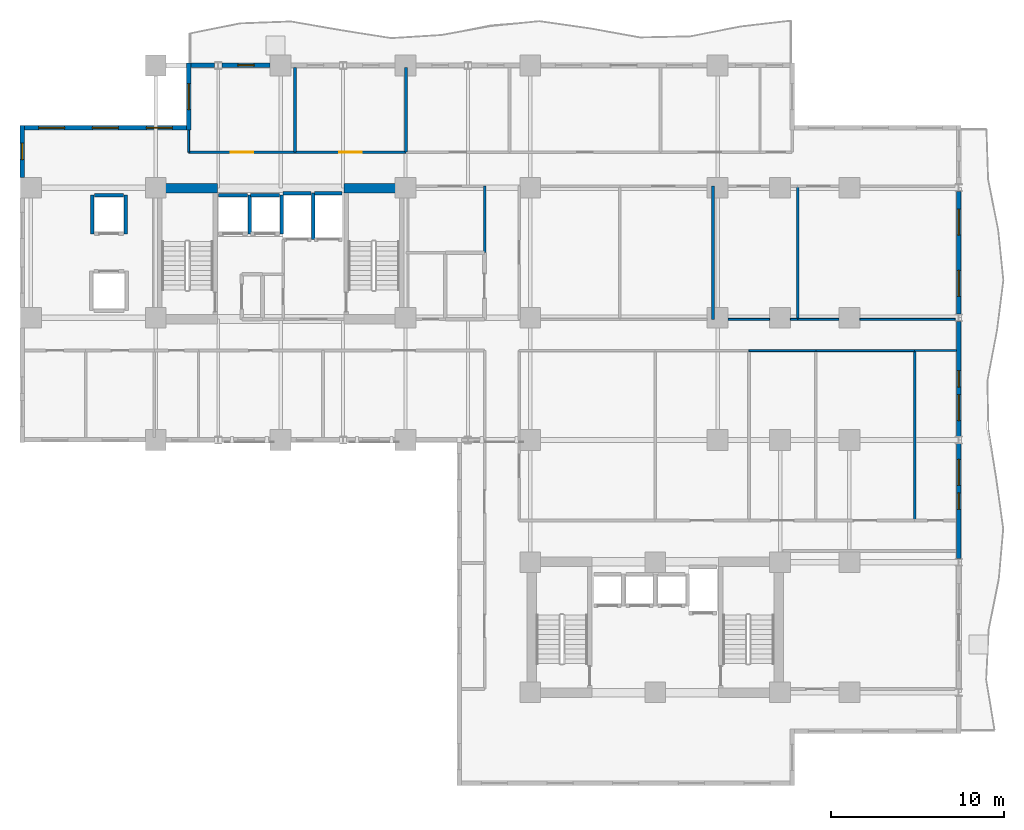
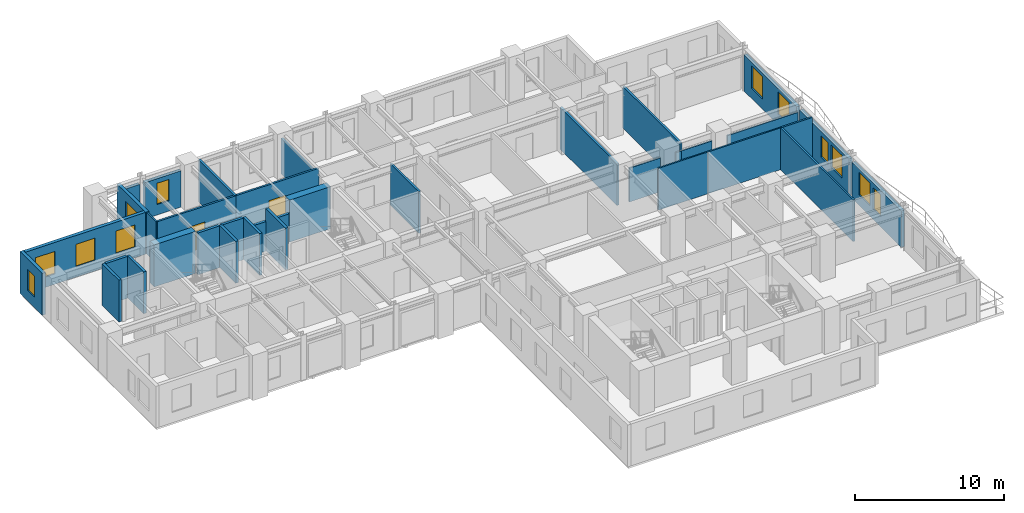
# One storey, part 6 of 11: 36 walls, 12 windows, 2 doors, 14 openings.
"""IFC4 building model written with IfcOpenShell, lengths in metres."""

from ifc_helpers import new_model, si_unit, direction, frame, frame_2d, origin, place, context, subcontext, project, spatial, rectangle, extrude, material, layer, layer_set, type_object, element, fill, save


model = new_model("IFC4")

# Units and contexts
model_context = context("Model", 3, precision=1e-05, world=origin(), true_north=direction((0.0, 1.0)))
body_context = subcontext(model_context, "Body", "Model", "MODEL_VIEW")
ifc_project = project(units=[si_unit("LENGTHUNIT", "METRE"), si_unit("AREAUNIT", "SQUARE_METRE"), si_unit("VOLUMEUNIT", "CUBIC_METRE"), si_unit("PLANEANGLEUNIT", "RADIAN"), si_unit("MASSUNIT", "GRAM", prefix="KILO")], contexts=[model_context])

# Site, building, storey
site_placement = place(None, origin())
site = spatial("IfcSite", under=ifc_project, at=site_placement, CompositionType="ELEMENT")
building_placement = place(site_placement, origin())
building = spatial("IfcBuilding", under=site, at=building_placement, Name="Kaliganga Portal Commons", CompositionType="ELEMENT")
storey_placement = place(building_placement, frame((0.0, 0.0, 111.89990234375)))
storey = spatial("IfcBuildingStorey", under=building, at=storey_placement, Name="L28", CompositionType="ELEMENT", Elevation=111.89990234375)

# Walls
ifc_material_1 = material(Name="Concrete C60/75", Category="concrete")
ifc_layer_1 = layer(ifc_material_1, 0.550048828125)
ifc_layer_set_1 = layer_set([ifc_layer_1], Name="Concrete C60/75")
wall_type_1 = type_object("IfcWallType", Name="WL-CORE-550", PredefinedType="SHEAR", material=ifc_layer_set_1)
for number, where, z_axis, x_axis, name in (
    (1, (14.75, 36.125, 0.0), (0.0, 0.0, 1.0), (1.0, 0.0, 0.0), "Core A N-West Shear Wall L28"),
    (2, (25.25, 36.125, 0.0), (0.0, 0.0, 1.0), (1.0, 0.0, 0.0), "Core A N-East Shear Wall L28"),
):
    element("IfcWall", number, at=place(storey_placement, frame(where, z_axis=z_axis, x_axis=x_axis)), inside=storey, type_object=wall_type_1, Name=name, PredefinedType="SHEAR", context=body_context, shape_type="SweptSolid", body=[
        extrude(rectangle(XDim=3.199951171875, YDim=0.550048828125, at=frame_2d((1.60009765625, 0.0))), origin(), (0.0, 0.0, 1.0), 3.4501953125),
    ])

# Wall, openings, windows
ifc_material_2 = material(Name="Insulated Aluminium-Clad Spandrel Assembly", Category="aluminium")
ifc_layer_2 = layer(ifc_material_2, 0.260009765625)
ifc_layer_set_2 = layer_set([ifc_layer_2], Name="Insulated Aluminium-Clad Spandrel Assembly")
wall_type_2 = type_object("IfcWallType", Name="WL-EXT-SPAND-260", PredefinedType="STANDARD", material=ifc_layer_set_2)
wall_1_placement = place(storey_placement, frame((60.699951171875, 21.384033203125, 0.0), z_axis=(0.0, 0.0, 1.0), x_axis=(0.0, -1.0, 0.0)))
wall_1 = element("IfcWall", 3, at=wall_1_placement, inside=storey, type_object=wall_type_2, Name="Exterior Envelope Wall L28 P1-E03-S3", PredefinedType="STANDARD", context=body_context, shape_type="SweptSolid", body=[
    extrude(rectangle(XDim=6.617919921875, YDim=0.260009765625, at=frame_2d((3.30908203125, 0.0))), origin(), (0.0, 0.0, 1.0), 2.97998046875),
])
opening_1_placement = place(wall_1_placement, frame((0.904541015625, 0.0, 0.85009765625)))
opening_1 = element("IfcOpeningElement", 4, at=opening_1_placement, cuts=wall_1, Name="Opening W-02", PredefinedType="OPENING", context=body_context, shape_type="SweptSolid", body=[
    extrude(rectangle(XDim=1.5, YDim=1.85009765625, at=frame_2d((0.75, 0.925048828125))), frame((0.0, 0.14013671875, 0.0), z_axis=(0.0, -1.0, 0.0), x_axis=(1.0, 0.0, 0.0)), (0.0, 0.0, 1.0), 0.280029296875),
])
opening_2_placement = place(wall_1_placement, frame((2.833984375, 0.0, 0.85009765625)))
opening_2 = element("IfcOpeningElement", 5, at=opening_2_placement, cuts=wall_1, Name="Opening W-04", PredefinedType="OPENING", context=body_context, shape_type="SweptSolid", body=[
    extrude(rectangle(XDim=0.949951171875, YDim=1.75, at=frame_2d((0.47509765625, 0.875))), frame((0.0, 0.14013671875, 0.0), z_axis=(0.0, -1.0, 0.0), x_axis=(1.0, 0.0, 0.0)), (0.0, 0.0, 1.0), 0.280029296875),
])
ifc_material_3 = material(Name="Thermally Broken Aluminium and Low-E Double Glazing", Category="aluminium")
window_type_1 = type_object("IfcWindowType", Name="WIN-NARROW-950", PartitioningType="SINGLE_PANEL", PredefinedType="WINDOW", material=ifc_material_3)
window_1_placement = place(opening_2_placement, origin())
window_1 = element("IfcWindow", 6, at=window_1_placement, inside=storey, type_object=window_type_1, Name="Facade Window L28-P1E03S3-N0", OverallHeight=1.75, OverallWidth=0.949951171875, PartitioningType="SINGLE_PANEL", PredefinedType="WINDOW", context=body_context, shape_type="SweptSolid", body=[
    extrude(rectangle(XDim=0.949951171875, YDim=1.75, at=frame_2d((0.47509765625, 0.875))), frame((0.0, 0.030029296875, 0.0), z_axis=(0.0, -1.0, 0.0), x_axis=(1.0, 0.0, 0.0)), (0.0, 0.0, 1.0), 0.06005859375),
])
fill(opening_2, window_1)
window_type_2 = type_object("IfcWindowType", Name="WIN-STD-1500", PartitioningType="DOUBLE_PANEL_VERTICAL", PredefinedType="WINDOW", material=ifc_material_3)
window_2_placement = place(opening_1_placement, origin())
window_2 = element("IfcWindow", 7, at=window_2_placement, inside=storey, type_object=window_type_2, Name="Facade Window L28-P1E03S3-00", OverallHeight=1.85009765625, OverallWidth=1.5, PartitioningType="SINGLE_PANEL", PredefinedType="WINDOW", context=body_context, shape_type="SweptSolid", body=[
    extrude(rectangle(XDim=1.5, YDim=1.85009765625, at=frame_2d((0.75, 0.925048828125))), frame((0.0, 0.030029296875, 0.0), z_axis=(0.0, -1.0, 0.0), x_axis=(1.0, 0.0, 0.0)), (0.0, 0.0, 1.0), 0.06005859375),
])
fill(opening_1, window_2)

wall_2_placement = place(storey_placement, frame((60.699951171875, 28.43408203125, 0.0), z_axis=(0.0, 0.0, 1.0), x_axis=(0.0, -1.0, 0.0)))
wall_2 = element("IfcWall", 8, at=wall_2_placement, inside=storey, type_object=wall_type_2, Name="Exterior Envelope Wall L28 P1-E03-S4", PredefinedType="STANDARD", context=body_context, shape_type="SweptSolid", body=[
    extrude(rectangle(XDim=6.6181640625, YDim=0.260009765625, at=frame_2d((3.30908203125, 0.0))), origin(), (0.0, 0.0, 1.0), 2.97998046875),
])
opening_3_placement = place(wall_2_placement, frame((4.21337890625, 0.0, 0.85009765625)))
opening_3 = element("IfcOpeningElement", 9, at=opening_3_placement, cuts=wall_2, Name="Opening W-02", PredefinedType="OPENING", context=body_context, shape_type="SweptSolid", body=[
    extrude(rectangle(XDim=1.5, YDim=1.85009765625, at=frame_2d((0.75, 0.925048828125))), frame((0.0, 0.14013671875, 0.0), z_axis=(0.0, -1.0, 0.0), x_axis=(1.0, 0.0, 0.0)), (0.0, 0.0, 1.0), 0.280029296875),
])
opening_4_placement = place(wall_2_placement, frame((2.833984375, 0.0, 0.85009765625)))
opening_4 = element("IfcOpeningElement", 10, at=opening_4_placement, cuts=wall_2, Name="Opening W-04", PredefinedType="OPENING", context=body_context, shape_type="SweptSolid", body=[
    extrude(rectangle(XDim=0.949951171875, YDim=1.75, at=frame_2d((0.47509765625, 0.875))), frame((0.0, 0.14013671875, 0.0), z_axis=(0.0, -1.0, 0.0), x_axis=(1.0, 0.0, 0.0)), (0.0, 0.0, 1.0), 0.280029296875),
])
window_3_placement = place(opening_4_placement, origin())
window_3 = element("IfcWindow", 11, at=window_3_placement, inside=storey, type_object=window_type_1, Name="Facade Window L28-P1E03S4-N0", OverallHeight=1.75, OverallWidth=0.949951171875, PartitioningType="SINGLE_PANEL", PredefinedType="WINDOW", context=body_context, shape_type="SweptSolid", body=[
    extrude(rectangle(XDim=0.949951171875, YDim=1.75, at=frame_2d((0.47509765625, 0.875))), frame((0.0, 0.030029296875, 0.0), z_axis=(0.0, -1.0, 0.0), x_axis=(1.0, 0.0, 0.0)), (0.0, 0.0, 1.0), 0.06005859375),
])
fill(opening_4, window_3)
window_4_placement = place(opening_3_placement, origin())
window_4 = element("IfcWindow", 12, at=window_4_placement, inside=storey, type_object=window_type_2, Name="Facade Window L28-P1E03S4-01", OverallHeight=1.85009765625, OverallWidth=1.5, PartitioningType="SINGLE_PANEL", PredefinedType="WINDOW", context=body_context, shape_type="SweptSolid", body=[
    extrude(rectangle(XDim=1.5, YDim=1.85009765625, at=frame_2d((0.75, 0.925048828125))), frame((0.0, 0.030029296875, 0.0), z_axis=(0.0, -1.0, 0.0), x_axis=(1.0, 0.0, 0.0)), (0.0, 0.0, 1.0), 0.06005859375),
])
fill(opening_3, window_4)

wall_3_placement = place(storey_placement, frame((60.699951171875, 35.93408203125, 0.0), z_axis=(0.0, 0.0, 1.0), x_axis=(0.0, -1.0, 0.0)))
wall_3 = element("IfcWall", 13, at=wall_3_placement, inside=storey, type_object=wall_type_2, Name="Exterior Envelope Wall L28 P1-E03-S5", PredefinedType="STANDARD", context=body_context, shape_type="SweptSolid", body=[
    extrude(rectangle(XDim=7.068115234375, YDim=0.260009765625, at=frame_2d((3.5341796875, 0.0))), origin(), (0.0, 0.0, 1.0), 2.97998046875),
])
opening_5_placement = place(wall_3_placement, frame((1.01708984375, 0.0, 0.85009765625)))
opening_5 = element("IfcOpeningElement", 14, at=opening_5_placement, cuts=wall_3, Name="Opening W-02", PredefinedType="OPENING", context=body_context, shape_type="SweptSolid", body=[
    extrude(rectangle(XDim=1.5, YDim=1.85009765625, at=frame_2d((0.75, 0.925048828125))), frame((0.0, 0.14013671875, 0.0), z_axis=(0.0, -1.0, 0.0), x_axis=(1.0, 0.0, 0.0)), (0.0, 0.0, 1.0), 0.280029296875),
])
opening_6_placement = place(wall_3_placement, frame((4.551025390625, 0.0, 0.85009765625)))
opening_6 = element("IfcOpeningElement", 15, at=opening_6_placement, cuts=wall_3, Name="Opening W-02", PredefinedType="OPENING", context=body_context, shape_type="SweptSolid", body=[
    extrude(rectangle(XDim=1.5, YDim=1.85009765625, at=frame_2d((0.75, 0.925048828125))), frame((0.0, 0.14013671875, 0.0), z_axis=(0.0, -1.0, 0.0), x_axis=(1.0, 0.0, 0.0)), (0.0, 0.0, 1.0), 0.280029296875),
])
window_5_placement = place(opening_5_placement, origin())
window_5 = element("IfcWindow", 16, at=window_5_placement, inside=storey, type_object=window_type_2, Name="Facade Window L28-P1E03S5-00", OverallHeight=1.85009765625, OverallWidth=1.5, PartitioningType="SINGLE_PANEL", PredefinedType="WINDOW", context=body_context, shape_type="SweptSolid", body=[
    extrude(rectangle(XDim=1.5, YDim=1.85009765625, at=frame_2d((0.75, 0.925048828125))), frame((0.0, 0.030029296875, 0.0), z_axis=(0.0, -1.0, 0.0), x_axis=(1.0, 0.0, 0.0)), (0.0, 0.0, 1.0), 0.06005859375),
])
fill(opening_5, window_5)
window_6_placement = place(opening_6_placement, origin())
window_6 = element("IfcWindow", 17, at=window_6_placement, inside=storey, type_object=window_type_2, Name="Facade Window L28-P1E03S5-01", OverallHeight=1.85009765625, OverallWidth=1.5, PartitioningType="SINGLE_PANEL", PredefinedType="WINDOW", context=body_context, shape_type="SweptSolid", body=[
    extrude(rectangle(XDim=1.5, YDim=1.85009765625, at=frame_2d((0.75, 0.925048828125))), frame((0.0, 0.030029296875, 0.0), z_axis=(0.0, -1.0, 0.0), x_axis=(1.0, 0.0, 0.0)), (0.0, 0.0, 1.0), 0.06005859375),
])
fill(opening_6, window_6)

# Wall, opening, window
wall_4_placement = place(storey_placement, frame((18.20556640625, 43.199951171875, 0.0), z_axis=(0.0, 0.0, 1.0), x_axis=(1.0, 0.0, 0.0)))
wall_4 = element("IfcWall", 18, at=wall_4_placement, inside=storey, type_object=wall_type_2, Name="Exterior Envelope Wall L28 P1-E06-S7", PredefinedType="STANDARD", context=body_context, shape_type="SweptSolid", body=[
    extrude(rectangle(XDim=2.79345703125, YDim=0.260009765625, at=frame_2d((1.396728515625, 0.0))), origin(), (0.0, 0.0, 1.0), 2.97998046875),
])
opening_7_placement = place(wall_4_placement, frame((0.921630859375, 0.0, 0.85009765625)))
opening_7 = element("IfcOpeningElement", 19, at=opening_7_placement, cuts=wall_4, Name="Opening W-04", PredefinedType="OPENING", context=body_context, shape_type="SweptSolid", body=[
    extrude(rectangle(XDim=0.949951171875, YDim=1.75, at=frame_2d((0.47509765625, 0.875))), frame((0.0, 0.14013671875, 0.0), z_axis=(0.0, -1.0, 0.0), x_axis=(1.0, 0.0, 0.0)), (0.0, 0.0, 1.0), 0.280029296875),
])
window_7_placement = place(opening_7_placement, origin())
window_7 = element("IfcWindow", 20, at=window_7_placement, inside=storey, type_object=window_type_1, Name="Facade Window L28-P1E06S7-00", OverallHeight=1.75, OverallWidth=0.949951171875, PartitioningType="SINGLE_PANEL", PredefinedType="WINDOW", context=body_context, shape_type="SweptSolid", body=[
    extrude(rectangle(XDim=0.949951171875, YDim=1.75, at=frame_2d((0.47509765625, 0.875))), frame((0.0, 0.030029296875, 0.0), z_axis=(0.0, -1.0, 0.0), x_axis=(1.0, 0.0, 0.0)), (0.0, 0.0, 1.0), 0.06005859375),
])
fill(opening_7, window_7)

# Wall
wall_5_placement = place(storey_placement, frame((16.43505859375, 43.199951171875, 0.0), z_axis=(0.0, 0.0, 1.0), x_axis=(1.0, 0.0, 0.0)))
element("IfcWall", 21, at=wall_5_placement, inside=storey, type_object=wall_type_2, Name="Exterior Envelope Wall L28 P1-E06-S8", PredefinedType="STANDARD", context=body_context, shape_type="SweptSolid", body=[
    extrude(rectangle(XDim=1.359375, YDim=0.260009765625, at=frame_2d((0.6796875, 0.0))), origin(), (0.0, 0.0, 1.0), 2.97998046875),
])

# Wall, opening, window
wall_6_placement = place(storey_placement, frame((16.300048828125, 39.469970703125, 0.0), z_axis=(0.0, 0.0, 1.0), x_axis=(0.0, 1.0, 0.0)))
wall_6 = element("IfcWall", 22, at=wall_6_placement, inside=storey, type_object=wall_type_2, Name="Exterior Envelope Wall L28 P1-E07-S1", PredefinedType="STANDARD", context=body_context, shape_type="SweptSolid", body=[
    extrude(rectangle(XDim=3.860107421875, YDim=0.260009765625, at=frame_2d((1.93017578125, 0.0))), origin(), (0.0, 0.0, 1.0), 3.43017578125),
])
opening_8_placement = place(wall_6_placement, frame((1.179931640625, 0.0, 0.85009765625)))
opening_8 = element("IfcOpeningElement", 23, at=opening_8_placement, cuts=wall_6, Name="Opening W-02", PredefinedType="OPENING", context=body_context, shape_type="SweptSolid", body=[
    extrude(rectangle(XDim=1.5, YDim=1.85009765625, at=frame_2d((0.75, 0.925048828125))), frame((0.0, 0.14013671875, 0.0), z_axis=(0.0, -1.0, 0.0), x_axis=(1.0, 0.0, 0.0)), (0.0, 0.0, 1.0), 0.280029296875),
])
window_8_placement = place(opening_8_placement, origin())
window_8 = element("IfcWindow", 24, at=window_8_placement, inside=storey, type_object=window_type_2, Name="Facade Window L28-P1E07S1-00", OverallHeight=1.85009765625, OverallWidth=1.5, PartitioningType="SINGLE_PANEL", PredefinedType="WINDOW", context=body_context, shape_type="SweptSolid", body=[
    extrude(rectangle(XDim=1.5, YDim=1.85009765625, at=frame_2d((0.75, 0.925048828125))), frame((0.0, 0.030029296875, 0.0), z_axis=(0.0, -1.0, 0.0), x_axis=(1.0, 0.0, 0.0)), (0.0, 0.0, 1.0), 0.06005859375),
])
fill(opening_8, window_8)

# Wall, openings, windows
wall_7_placement = place(storey_placement, frame((6.8349609375, 39.60009765625, 0.0), z_axis=(0.0, 0.0, 1.0), x_axis=(1.0, 0.0, 0.0)))
wall_7 = element("IfcWall", 25, at=wall_7_placement, inside=storey, type_object=wall_type_2, Name="Exterior Envelope Wall L28 P1-E08-S1", PredefinedType="STANDARD", context=body_context, shape_type="SweptSolid", body=[
    extrude(rectangle(XDim=9.330078125, YDim=0.260009765625, at=frame_2d((4.6650390625, 0.0))), origin(), (0.0, 0.0, 1.0), 3.43017578125),
])
opening_9_placement = place(wall_7_placement, frame((0.804931640625, 0.0, 0.85009765625)))
opening_9 = element("IfcOpeningElement", 26, at=opening_9_placement, cuts=wall_7, Name="Opening W-02", PredefinedType="OPENING", context=body_context, shape_type="SweptSolid", body=[
    extrude(rectangle(XDim=1.5, YDim=1.85009765625, at=frame_2d((0.75, 0.925048828125))), frame((0.0, 0.14013671875, 0.0), z_axis=(0.0, -1.0, 0.0), x_axis=(1.0, 0.0, 0.0)), (0.0, 0.0, 1.0), 0.280029296875),
])
opening_10_placement = place(wall_7_placement, frame((3.9150390625, 0.0, 0.85009765625)))
opening_10 = element("IfcOpeningElement", 27, at=opening_10_placement, cuts=wall_7, Name="Opening W-02", PredefinedType="OPENING", context=body_context, shape_type="SweptSolid", body=[
    extrude(rectangle(XDim=1.5, YDim=1.85009765625, at=frame_2d((0.75, 0.925048828125))), frame((0.0, 0.14013671875, 0.0), z_axis=(0.0, -1.0, 0.0), x_axis=(1.0, 0.0, 0.0)), (0.0, 0.0, 1.0), 0.280029296875),
])
opening_11_placement = place(wall_7_placement, frame((7.02490234375, 0.0, 0.85009765625)))
opening_11 = element("IfcOpeningElement", 28, at=opening_11_placement, cuts=wall_7, Name="Opening W-02", PredefinedType="OPENING", context=body_context, shape_type="SweptSolid", body=[
    extrude(rectangle(XDim=1.5, YDim=1.85009765625, at=frame_2d((0.75, 0.925048828125))), frame((0.0, 0.14013671875, 0.0), z_axis=(0.0, -1.0, 0.0), x_axis=(1.0, 0.0, 0.0)), (0.0, 0.0, 1.0), 0.280029296875),
])
window_9_placement = place(opening_9_placement, origin())
window_9 = element("IfcWindow", 29, at=window_9_placement, inside=storey, type_object=window_type_2, Name="Facade Window L28-P1E08S1-00", OverallHeight=1.85009765625, OverallWidth=1.5, PartitioningType="SINGLE_PANEL", PredefinedType="WINDOW", context=body_context, shape_type="SweptSolid", body=[
    extrude(rectangle(XDim=1.5, YDim=1.85009765625, at=frame_2d((0.75, 0.925048828125))), frame((0.0, 0.030029296875, 0.0), z_axis=(0.0, -1.0, 0.0), x_axis=(1.0, 0.0, 0.0)), (0.0, 0.0, 1.0), 0.06005859375),
])
fill(opening_9, window_9)
window_10_placement = place(opening_10_placement, origin())
window_10 = element("IfcWindow", 30, at=window_10_placement, inside=storey, type_object=window_type_2, Name="Facade Window L28-P1E08S1-01", OverallHeight=1.85009765625, OverallWidth=1.5, PartitioningType="SINGLE_PANEL", PredefinedType="WINDOW", context=body_context, shape_type="SweptSolid", body=[
    extrude(rectangle(XDim=1.5, YDim=1.85009765625, at=frame_2d((0.75, 0.925048828125))), frame((0.0, 0.030029296875, 0.0), z_axis=(0.0, -1.0, 0.0), x_axis=(1.0, 0.0, 0.0)), (0.0, 0.0, 1.0), 0.06005859375),
])
fill(opening_10, window_10)
window_11_placement = place(opening_11_placement, origin())
window_11 = element("IfcWindow", 31, at=window_11_placement, inside=storey, type_object=window_type_2, Name="Facade Window L28-P1E08S1-02", OverallHeight=1.85009765625, OverallWidth=1.5, PartitioningType="SINGLE_PANEL", PredefinedType="WINDOW", context=body_context, shape_type="SweptSolid", body=[
    extrude(rectangle(XDim=1.5, YDim=1.85009765625, at=frame_2d((0.75, 0.925048828125))), frame((0.0, 0.030029296875, 0.0), z_axis=(0.0, -1.0, 0.0), x_axis=(1.0, 0.0, 0.0)), (0.0, 0.0, 1.0), 0.06005859375),
])
fill(opening_11, window_11)

# Wall, opening, window
wall_8_placement = place(storey_placement, frame((6.699951171875, 36.7509765625, 0.0), z_axis=(0.0, 0.0, 1.0), x_axis=(0.0, 1.0, 0.0)))
wall_8 = element("IfcWall", 32, at=wall_8_placement, inside=storey, type_object=wall_type_2, Name="Exterior Envelope Wall L28 P1-E09-S1", PredefinedType="STANDARD", context=body_context, shape_type="SweptSolid", body=[
    extrude(rectangle(XDim=2.97900390625, YDim=0.260009765625, at=frame_2d((1.489501953125, 0.0))), origin(), (0.0, 0.0, 1.0), 3.43017578125),
])
opening_12_placement = place(wall_8_placement, frame((1.014404296875, 0.0, 0.85009765625)))
opening_12 = element("IfcOpeningElement", 33, at=opening_12_placement, cuts=wall_8, Name="Opening W-04", PredefinedType="OPENING", context=body_context, shape_type="SweptSolid", body=[
    extrude(rectangle(XDim=0.949951171875, YDim=1.75, at=frame_2d((0.47509765625, 0.875))), frame((0.0, 0.14013671875, 0.0), z_axis=(0.0, -1.0, 0.0), x_axis=(1.0, 0.0, 0.0)), (0.0, 0.0, 1.0), 0.280029296875),
])
window_12_placement = place(opening_12_placement, origin())
window_12 = element("IfcWindow", 34, at=window_12_placement, inside=storey, type_object=window_type_1, Name="Facade Window L28-P1E09S1-00", OverallHeight=1.75, OverallWidth=0.949951171875, PartitioningType="SINGLE_PANEL", PredefinedType="WINDOW", context=body_context, shape_type="SweptSolid", body=[
    extrude(rectangle(XDim=0.949951171875, YDim=1.75, at=frame_2d((0.47509765625, 0.875))), frame((0.0, 0.030029296875, 0.0), z_axis=(0.0, -1.0, 0.0), x_axis=(1.0, 0.0, 0.0)), (0.0, 0.0, 1.0), 0.06005859375),
])
fill(opening_12, window_12)

# Wall, opening, door
ifc_material_4 = material(Name="Fire-Rated Gypsum Board on Steel Stud", Category="steel")
ifc_layer_3 = layer(ifc_material_4, 0.14990234375)
ifc_layer_set_3 = layer_set([ifc_layer_3], Name="Fire-Rated Gypsum Board on Steel Stud")
wall_type_3 = type_object("IfcWallType", Name="WL-PART-CORR-150", PredefinedType="PARTITIONING", material=ifc_layer_set_3)
wall_9_placement = place(storey_placement, frame((22.419921875, 38.199951171875, 0.0), z_axis=(0.0, 0.0, 1.0), x_axis=(1.0, 0.0, 0.0)))
wall_9 = element("IfcWall", 35, at=wall_9_placement, inside=storey, type_object=wall_type_3, Name="Interior Partition L28-014", PredefinedType="PARTITIONING", context=body_context, shape_type="SweptSolid", body=[
    extrude(rectangle(XDim=6.420166015625, YDim=0.14990234375, at=frame_2d((3.2099609375, 0.0))), origin(), (0.0, 0.0, 1.0), 3.43017578125),
])
opening_13_placement = place(wall_9_placement, frame((2.56005859375, 0.0, 0.0)))
opening_13 = element("IfcOpeningElement", 36, at=opening_13_placement, cuts=wall_9, Name="Opening RD-03", PredefinedType="OPENING", context=body_context, shape_type="SweptSolid", body=[
    extrude(rectangle(XDim=1.300048828125, YDim=2.1201171875, at=frame_2d((0.64990234375, 1.06005859375))), frame((0.0, 0.0849609375, 0.0), z_axis=(0.0, -1.0, 0.0), x_axis=(1.0, 0.0, 0.0)), (0.0, 0.0, 1.0), 0.169921875),
])
ifc_material_5 = material(Name="Glazed Timber Seminar Vision Door", Category="wood")
door_type = type_object("IfcDoorType", Name="DR-STUDY-1300", OperationType="DOUBLE_DOOR_SINGLE_SWING", PredefinedType="DOOR", material=ifc_material_5)
door_1_placement = place(opening_13_placement, origin())
door_1 = element("IfcDoor", 37, at=door_1_placement, inside=storey, type_object=door_type, Name="Interior Door L28-AN02", OperationType="DOUBLE_DOOR_SINGLE_SWING", OverallHeight=2.1201171875, OverallWidth=1.300048828125, PredefinedType="DOOR", context=body_context, shape_type="SweptSolid", body=[
    extrude(rectangle(XDim=1.300048828125, YDim=2.1201171875, at=frame_2d((0.64990234375, 1.06005859375))), frame((0.0, 0.02490234375, 0.0), z_axis=(0.0, -1.0, 0.0), x_axis=(1.0, 0.0, 0.0)), (0.0, 0.0, 1.0), 0.050048828125),
])
fill(opening_13, door_1)

wall_10_placement = place(storey_placement, frame((16.300048828125, 38.199951171875, 0.0), z_axis=(0.0, 0.0, 1.0), x_axis=(1.0, 0.0, 0.0)))
wall_10 = element("IfcWall", 38, at=wall_10_placement, inside=storey, type_object=wall_type_3, Name="Interior Partition L28-015", PredefinedType="PARTITIONING", context=body_context, shape_type="SweptSolid", body=[
    extrude(rectangle(XDim=6.119873046875, YDim=0.14990234375, at=frame_2d((3.06005859375, 0.0))), origin(), (0.0, 0.0, 1.0), 3.43017578125),
])
opening_14_placement = place(wall_10_placement, frame((2.409912109375, 0.0, 0.0)))
opening_14 = element("IfcOpeningElement", 39, at=opening_14_placement, cuts=wall_10, Name="Opening RD-03", PredefinedType="OPENING", context=body_context, shape_type="SweptSolid", body=[
    extrude(rectangle(XDim=1.300048828125, YDim=2.1201171875, at=frame_2d((0.64990234375, 1.06005859375))), frame((0.0, 0.0849609375, 0.0), z_axis=(0.0, -1.0, 0.0), x_axis=(1.0, 0.0, 0.0)), (0.0, 0.0, 1.0), 0.169921875),
])
door_2_placement = place(opening_14_placement, origin())
door_2 = element("IfcDoor", 40, at=door_2_placement, inside=storey, type_object=door_type, Name="Interior Door L28-AN01", OperationType="DOUBLE_DOOR_SINGLE_SWING", OverallHeight=2.1201171875, OverallWidth=1.300048828125, PredefinedType="DOOR", context=body_context, shape_type="SweptSolid", body=[
    extrude(rectangle(XDim=1.300048828125, YDim=2.1201171875, at=frame_2d((0.64990234375, 1.06005859375))), frame((0.0, 0.02490234375, 0.0), z_axis=(0.0, -1.0, 0.0), x_axis=(1.0, 0.0, 0.0)), (0.0, 0.0, 1.0), 0.050048828125),
])
fill(opening_14, door_2)

# Walls
wall_11_placement = place(storey_placement, frame((33.360107421875, 32.39990234375, 0.0), z_axis=(0.0, 0.0, 1.0), x_axis=(0.0, 1.0, 0.0)))
element("IfcWall", 41, at=wall_11_placement, inside=storey, type_object=wall_type_3, Name="Interior Partition L28-028", PredefinedType="PARTITIONING", context=body_context, shape_type="SweptSolid", body=[
    extrude(rectangle(XDim=3.840087890625, YDim=0.14990234375, at=frame_2d((1.919921875, 0.0))), origin(), (0.0, 0.0, 1.0), 3.43017578125),
])
ifc_material_6 = material(Name="Moisture-Resistant Gypsum Partition", Category="gypsum")
ifc_layer_4 = layer(ifc_material_6, 0.114990234375)
ifc_layer_set_4 = layer_set([ifc_layer_4], Name="Moisture-Resistant Gypsum Partition")
wall_type_4 = type_object("IfcWallType", Name="WL-PART-ROOM-115", PredefinedType="PARTITIONING", material=ifc_layer_set_4)
wall_12_placement = place(storey_placement, frame((51.419921875, 28.56005859375, 0.0), z_axis=(0.0, 0.0, 1.0), x_axis=(1.0, 0.0, 0.0)))
element("IfcWall", 42, at=wall_12_placement, inside=storey, type_object=wall_type_4, Name="Interior Partition L28-047", PredefinedType="PARTITIONING", context=body_context, shape_type="SweptSolid", body=[
    extrude(rectangle(XDim=2.380126953125, YDim=0.114990234375, at=frame_2d((1.18994140625, 0.0))), origin(), (0.0, 0.0, 1.0), 2.780029296875),
])
wall_13_placement = place(storey_placement, frame((55.0, 28.56005859375, 0.0), z_axis=(0.0, 0.0, 1.0), x_axis=(1.0, 0.0, 0.0)))
element("IfcWall", 43, at=wall_13_placement, inside=storey, type_object=wall_type_4, Name="Interior Partition L28-048", PredefinedType="PARTITIONING", context=body_context, shape_type="SweptSolid", body=[
    extrude(rectangle(XDim=5.49560546875, YDim=0.114990234375, at=frame_2d((2.747802734375, 0.0))), origin(), (0.0, 0.0, 1.0), 2.780029296875),
])
wall_14_placement = place(storey_placement, frame((52.4599609375, 26.760009765625, 0.0), z_axis=(0.0, 0.0, 1.0), x_axis=(1.0, 0.0, 0.0)))
element("IfcWall", 44, at=wall_14_placement, inside=storey, type_object=wall_type_4, Name="Interior Partition L28-054", PredefinedType="PARTITIONING", context=body_context, shape_type="SweptSolid", body=[
    extrude(rectangle(XDim=5.699951171875, YDim=0.114990234375, at=frame_2d((2.85009765625, 0.0))), origin(), (0.0, 0.0, 1.0), 3.43017578125),
])
wall_15_placement = place(storey_placement, frame((16.300048828125, 38.199951171875, 0.0), z_axis=(0.0, 0.0, 1.0), x_axis=(0.0, 1.0, 0.0)))
element("IfcWall", 45, at=wall_15_placement, inside=storey, type_object=wall_type_4, Name="Interior Partition L28-061", PredefinedType="PARTITIONING", context=body_context, shape_type="SweptSolid", body=[
    extrude(rectangle(XDim=1.26806640625, YDim=0.114990234375, at=frame_2d((0.634033203125, 0.0))), origin(), (0.0, 0.0, 1.0), 3.43017578125),
])
wall_16_placement = place(storey_placement, frame((47.39990234375, 28.56005859375, 0.0), z_axis=(0.0, 0.0, 1.0), x_axis=(1.0, 0.0, 0.0)))
element("IfcWall", 46, at=wall_16_placement, inside=storey, type_object=wall_type_4, Name="Interior Partition L28-068", PredefinedType="PARTITIONING", context=body_context, shape_type="SweptSolid", body=[
    extrude(rectangle(XDim=2.400146484375, YDim=0.114990234375, at=frame_2d((1.2001953125, 0.0))), origin(), (0.0, 0.0, 1.0), 2.780029296875),
])
wall_17_placement = place(storey_placement, frame((51.0, 28.56005859375, 0.0), z_axis=(0.0, 0.0, 1.0), x_axis=(1.0, 0.0, 0.0)))
element("IfcWall", 47, at=wall_17_placement, inside=storey, type_object=wall_type_4, Name="Interior Partition L28-069", PredefinedType="PARTITIONING", context=body_context, shape_type="SweptSolid", body=[
    extrude(rectangle(XDim=0.419921875, YDim=0.114990234375, at=frame_2d((0.2099609375, 0.0))), origin(), (0.0, 0.0, 1.0), 2.780029296875),
])
wall_18_placement = place(storey_placement, frame((48.60009765625, 26.760009765625, 0.0), z_axis=(0.0, 0.0, 1.0), x_axis=(1.0, 0.0, 0.0)))
element("IfcWall", 48, at=wall_18_placement, inside=storey, type_object=wall_type_4, Name="Interior Partition L28-070", PredefinedType="PARTITIONING", context=body_context, shape_type="SweptSolid", body=[
    extrude(rectangle(XDim=3.85986328125, YDim=0.114990234375, at=frame_2d((1.929931640625, 0.0))), origin(), (0.0, 0.0, 1.0), 3.43017578125),
])
ifc_material_7 = material(Name="Twin-Stud Acoustic Gypsum Partition", Category="gypsum")
ifc_layer_5 = layer(ifc_material_7, 0.1650390625)
ifc_layer_set_5 = layer_set([ifc_layer_5], Name="Twin-Stud Acoustic Gypsum Partition")
wall_type_5 = type_object("IfcWallType", Name="WL-PART-UNIT-165", PredefinedType="PARTITIONING", material=ifc_layer_set_5)
for number, where, z_axis, x_axis, name in (
    (49, (46.5400390625, 28.56005859375, 0.0), (0.0, 0.0, 1.0), (0.0, 1.0, 0.0), "Interior Partition L28-051"),
    (50, (51.419921875, 28.56005859375, 0.0), (0.0, 0.0, 1.0), (0.0, 1.0, 0.0), "Interior Partition L28-052"),
):
    element("IfcWall", number, at=place(storey_placement, frame(where, z_axis=z_axis, x_axis=x_axis)), inside=storey, type_object=wall_type_5, Name=name, PredefinedType="PARTITIONING", context=body_context, shape_type="SweptSolid", body=[
        extrude(rectangle(XDim=7.679931640625, YDim=0.1650390625, at=frame_2d((3.83984375, 0.0))), origin(), (0.0, 0.0, 1.0), 3.43017578125),
    ])
wall_19_placement = place(storey_placement, frame((22.419921875, 38.199951171875, 0.0), z_axis=(0.0, 0.0, 1.0), x_axis=(0.0, 1.0, 0.0)))
element("IfcWall", 51, at=wall_19_placement, inside=storey, type_object=wall_type_5, Name="Interior Partition L28-062", PredefinedType="PARTITIONING", context=body_context, shape_type="SweptSolid", body=[
    extrude(rectangle(XDim=4.8681640625, YDim=0.1650390625, at=frame_2d((2.43408203125, 0.0))), origin(), (0.0, 0.0, 1.0), 3.43017578125),
])
wall_20_placement = place(storey_placement, frame((28.840087890625, 38.199951171875, 0.0), z_axis=(0.0, 0.0, 1.0), x_axis=(0.0, 1.0, 0.0)))
element("IfcWall", 52, at=wall_20_placement, inside=storey, type_object=wall_type_5, Name="Interior Partition L28-063", PredefinedType="PARTITIONING", context=body_context, shape_type="SweptSolid", body=[
    extrude(rectangle(XDim=4.8681640625, YDim=0.1650390625, at=frame_2d((2.43408203125, 0.0))), origin(), (0.0, 0.0, 1.0), 2.93017578125),
])
ifc_material_8 = material(Name="Cement-Board Wet-Room Partition", Category="gypsum")
ifc_layer_6 = layer(ifc_material_8, 0.135009765625)
ifc_layer_set_6 = layer_set([ifc_layer_6], Name="Cement-Board Wet-Room Partition")
wall_type_6 = type_object("IfcWallType", Name="WL-PART-WET-135", PredefinedType="PARTITIONING", material=ifc_layer_set_6)
wall_21_placement = place(storey_placement, frame((58.159912109375, 16.9599609375, 0.0), z_axis=(0.0, 0.0, 1.0), x_axis=(0.0, 1.0, 0.0)))
element("IfcWall", 53, at=wall_21_placement, inside=storey, type_object=wall_type_6, Name="Interior Partition L28-046", PredefinedType="PARTITIONING", context=body_context, shape_type="SweptSolid", body=[
    extrude(rectangle(XDim=9.800048828125, YDim=0.135009765625, at=frame_2d((4.89990234375, 0.0))), origin(), (0.0, 0.0, 1.0), 3.43017578125),
])
wall_22_placement = place(storey_placement, frame((58.159912109375, 26.760009765625, 0.0), z_axis=(0.0, 0.0, 1.0), x_axis=(1.0, 0.0, 0.0)))
element("IfcWall", 54, at=wall_22_placement, inside=storey, type_object=wall_type_6, Name="Interior Partition L28-074", PredefinedType="PARTITIONING", context=body_context, shape_type="SweptSolid", body=[
    extrude(rectangle(XDim=2.408203125, YDim=0.135009765625, at=frame_2d((1.2041015625, 0.0))), origin(), (0.0, 0.0, 1.0), 3.43017578125),
])
ifc_material_9 = material(Name="Fire-Rated Shaftwall Masonry Assembly", Category="masonry")
ifc_layer_7 = layer(ifc_material_9, 0.199951171875)
ifc_layer_set_7 = layer_set([ifc_layer_7], Name="Fire-Rated Shaftwall Masonry Assembly")
wall_type_7 = type_object("IfcWallType", Name="WL-SHAFT-200", PredefinedType="PARTITIONING", material=ifc_layer_set_7)
wall_23_placement = place(storey_placement, frame((18.02490234375, 35.715087890625, 0.0), z_axis=(0.0, 0.0, 1.0), x_axis=(1.0, 0.0, 0.0)))
element("IfcWall", 55, at=wall_23_placement, inside=storey, type_object=wall_type_7, Name="Lift PL-A1 Hoistway Shaft Wall L28-N", PredefinedType="PARTITIONING", context=body_context, shape_type="SweptSolid", body=[
    extrude(rectangle(XDim=1.650146484375, YDim=0.199951171875, at=frame_2d((0.8251953125, 0.0))), origin(), (0.0, 0.0, 1.0), 3.43017578125),
])
wall_24_placement = place(storey_placement, frame((19.81494140625, 33.485107421875, 0.0), z_axis=(0.0, 0.0, 1.0), x_axis=(0.0, 1.0, 0.0)))
element("IfcWall", 56, at=wall_24_placement, inside=storey, type_object=wall_type_7, Name="Lift PL-A1 Hoistway Shaft Wall L28-E", PredefinedType="PARTITIONING", context=body_context, shape_type="SweptSolid", body=[
    extrude(rectangle(XDim=2.22998046875, YDim=0.199951171875, at=frame_2d((1.114990234375, 0.0))), origin(), (0.0, 0.0, 1.0), 3.43017578125),
])
wall_25_placement = place(storey_placement, frame((19.875, 35.715087890625, 0.0), z_axis=(0.0, 0.0, 1.0), x_axis=(1.0, 0.0, 0.0)))
element("IfcWall", 57, at=wall_25_placement, inside=storey, type_object=wall_type_7, Name="Lift PL-A2 Hoistway Shaft Wall L28-N", PredefinedType="PARTITIONING", context=body_context, shape_type="SweptSolid", body=[
    extrude(rectangle(XDim=1.64990234375, YDim=0.199951171875, at=frame_2d((0.824951171875, 0.0))), origin(), (0.0, 0.0, 1.0), 3.43017578125),
])
wall_26_placement = place(storey_placement, frame((21.6650390625, 33.485107421875, 0.0), z_axis=(0.0, 0.0, 1.0), x_axis=(0.0, 1.0, 0.0)))
element("IfcWall", 58, at=wall_26_placement, inside=storey, type_object=wall_type_7, Name="Lift PL-A2 Hoistway Shaft Wall L28-E", PredefinedType="PARTITIONING", context=body_context, shape_type="SweptSolid", body=[
    extrude(rectangle(XDim=2.22998046875, YDim=0.199951171875, at=frame_2d((1.114990234375, 0.0))), origin(), (0.0, 0.0, 1.0), 3.43017578125),
])
wall_27_placement = place(storey_placement, frame((10.875, 35.715087890625, 0.0), z_axis=(0.0, 0.0, 1.0), x_axis=(1.0, 0.0, 0.0)))
element("IfcWall", 59, at=wall_27_placement, inside=storey, type_object=wall_type_7, Name="Lift PL-OBS Hoistway Shaft Wall L28-N", PredefinedType="PARTITIONING", context=body_context, shape_type="SweptSolid", body=[
    extrude(rectangle(XDim=1.64990234375, YDim=0.199951171875, at=frame_2d((0.824951171875, 0.0))), origin(), (0.0, 0.0, 1.0), 3.43017578125),
])
for number, where, z_axis, x_axis, name in (
    (60, (10.735107421875, 33.485107421875, 0.0), (0.0, 0.0, 1.0), (0.0, 1.0, 0.0), "Lift PL-OBS Hoistway Shaft Wall L28-W"),
    (61, (12.6650390625, 33.485107421875, 0.0), (0.0, 0.0, 1.0), (0.0, 1.0, 0.0), "Lift PL-OBS Hoistway Shaft Wall L28-E"),
):
    element("IfcWall", number, at=place(storey_placement, frame(where, z_axis=z_axis, x_axis=x_axis)), inside=storey, type_object=wall_type_7, Name=name, PredefinedType="PARTITIONING", context=body_context, shape_type="SweptSolid", body=[
        extrude(rectangle(XDim=2.22998046875, YDim=0.199951171875, at=frame_2d((1.114990234375, 0.0))), origin(), (0.0, 0.0, 1.0), 3.43017578125),
    ])
wall_28_placement = place(storey_placement, frame((21.75, 35.840087890625, 0.0), z_axis=(0.0, 0.0, 1.0), x_axis=(1.0, 0.0, 0.0)))
element("IfcWall", 62, at=wall_28_placement, inside=storey, type_object=wall_type_7, Name="Lift FFL-1 Hoistway Shaft Wall L28-N", PredefinedType="PARTITIONING", context=body_context, shape_type="SweptSolid", body=[
    extrude(rectangle(XDim=1.60009765625, YDim=0.199951171875, at=frame_2d((0.800048828125, 0.0))), origin(), (0.0, 0.0, 1.0), 2.43017578125),
])
wall_29_placement = place(storey_placement, frame((23.489990234375, 33.159912109375, 0.0), z_axis=(0.0, 0.0, 1.0), x_axis=(0.0, 1.0, 0.0)))
element("IfcWall", 63, at=wall_29_placement, inside=storey, type_object=wall_type_7, Name="Lift FFL-1 Hoistway Shaft Wall L28-E", PredefinedType="PARTITIONING", context=body_context, shape_type="SweptSolid", body=[
    extrude(rectangle(XDim=2.68017578125, YDim=0.199951171875, at=frame_2d((1.340087890625, 0.0))), origin(), (0.0, 0.0, 1.0), 3.43017578125),
])
wall_30_placement = place(storey_placement, frame((23.550048828125, 35.840087890625, 0.0), z_axis=(0.0, 0.0, 1.0), x_axis=(1.0, 0.0, 0.0)))
element("IfcWall", 64, at=wall_30_placement, inside=storey, type_object=wall_type_7, Name="Lift FFL-2 Hoistway Shaft Wall L28-N", PredefinedType="PARTITIONING", context=body_context, shape_type="SweptSolid", body=[
    extrude(rectangle(XDim=1.599853515625, YDim=0.199951171875, at=frame_2d((0.7998046875, 0.0))), origin(), (0.0, 0.0, 1.0), 2.43017578125),
])

save(model, "model.ifc")
